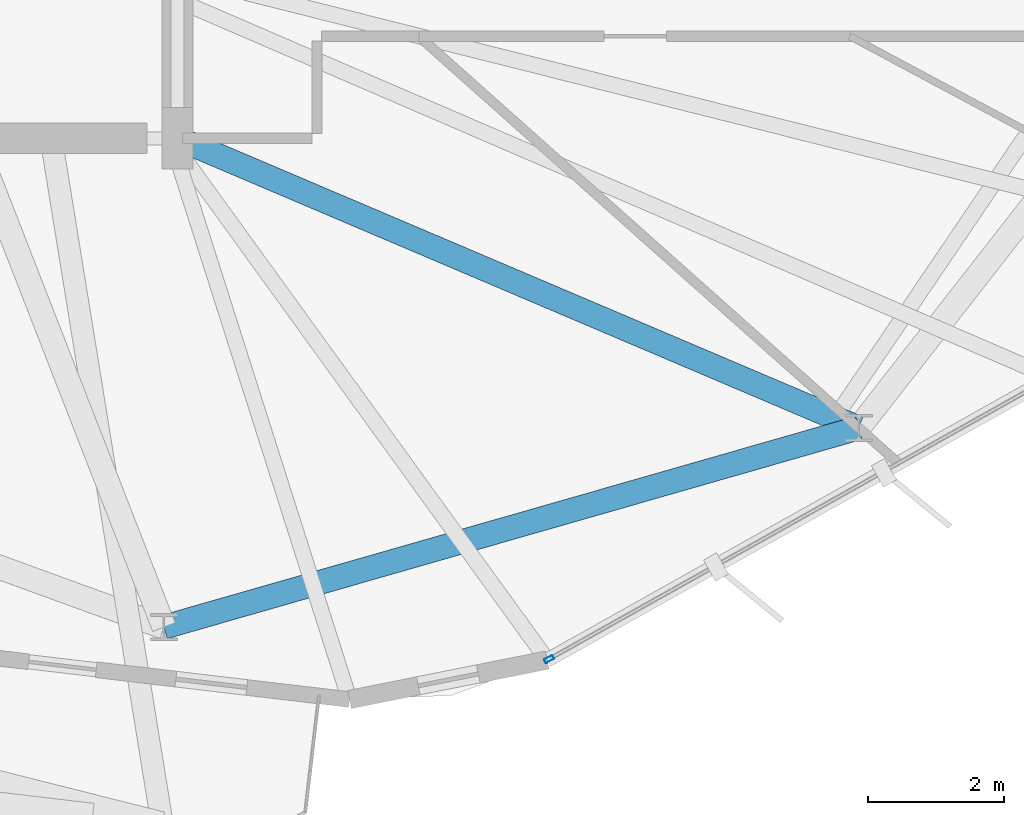
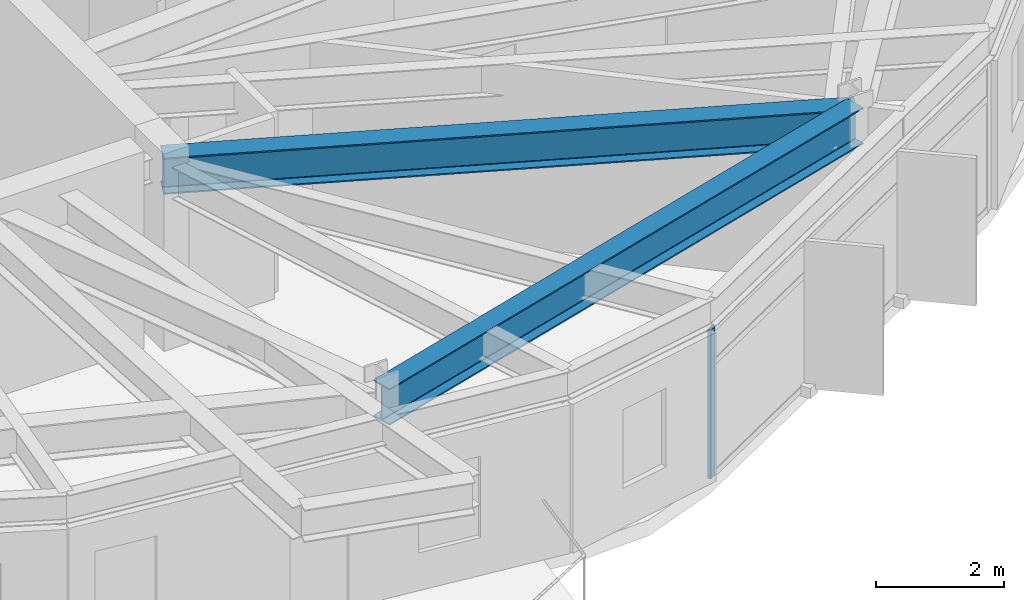
# One storey, part 5 of 25: 2 beams, 1 member, 1 element without a shape of its own.
"""IFC4 building model written with IfcOpenShell, lengths in metres."""

from ifc_helpers import new_model, si_unit, direction, frame, origin, origin_2d, place, context, subcontext, project, spatial, hollow_rectangle, i_section, extrude, material, layer, layer_set, material_profile, profile_set, type_object, element, aggregate, save


model = new_model("IFC4")

# Units and contexts
model_context = context("Model", 3, precision=1e-05, world=origin(), true_north=direction((0.0, 1.0)))
body_context = subcontext(model_context, "Body", "Model", "MODEL_VIEW")
ifc_project = project(units=[si_unit("LENGTHUNIT", "METRE"), si_unit("AREAUNIT", "SQUARE_METRE"), si_unit("VOLUMEUNIT", "CUBIC_METRE"), si_unit("PLANEANGLEUNIT", "RADIAN"), si_unit("MASSUNIT", "GRAM", prefix="KILO")], contexts=[model_context])

# Site, building, storey
site_placement = place(None, origin())
site = spatial("IfcSite", under=ifc_project, at=site_placement, CompositionType="ELEMENT")
building_placement = place(site_placement, origin())
building = spatial("IfcBuilding", under=site, at=building_placement, Name="Soratama Intermodal Tower", CompositionType="ELEMENT")
storey_placement = place(building_placement, frame((0.0, 0.0, 272.5)))
storey = spatial("IfcBuildingStorey", under=building, at=storey_placement, Name="L69", CompositionType="ELEMENT", Elevation=272.5)

# Beams
ifc_material_1 = material(Name="Structural steel ASTM A992 Grade 50", Category="steel")
ifc_material_profile_1 = material_profile(ifc_material_1, i_section(OverallWidth=0.35498046875, OverallDepth=0.695068359375, WebThickness=0.015380859375, FlangeThickness=0.02490234375, FilletRadius=0.01611328125, at=origin_2d()), Name="W27X146")
ifc_profile_set_1 = profile_set([ifc_material_profile_1], Name="Structural steel ASTM A992 Grade 50")
beam_type = type_object("IfcBeamType", Name="BM-RING-W27X146", PredefinedType="BEAM", material=ifc_profile_set_1)
beam_1_placement = place(storey_placement, frame((44.39990234375, 7.81103515625, 3.1025390625), z_axis=(0.961262636932, 0.27563407416, 0.0), x_axis=(-0.27563407416, 0.961262636932, 0.0)))
element("IfcBeam", 1, at=beam_1_placement, inside=storey, type_object=beam_type, Name="BM-L69-RING-08", PredefinedType="BEAM", context=body_context, shape_type="SweptSolid", body=[
    extrude(i_section(OverallWidth=0.35498046875, OverallDepth=0.695068359375, WebThickness=0.015380859375, FlangeThickness=0.02490234375, FilletRadius=0.01611328125, at=origin_2d()), origin(), (0.0, 0.0, 1.0), 10.6298828125),
])
beam_2_placement = place(storey_placement, frame((44.60009765625, 15.0, 3.1025390625), z_axis=(0.920282671955, -0.391254142087, 0.0), x_axis=(0.391254142087, 0.920282671955, 0.0)))
element("IfcBeam", 2, at=beam_2_placement, inside=storey, type_object=beam_type, Name="BM-L69-RAD-09", PredefinedType="BEAM", context=body_context, shape_type="SweptSolid", body=[
    extrude(i_section(OverallWidth=0.35498046875, OverallDepth=0.695068359375, WebThickness=0.015380859375, FlangeThickness=0.02490234375, FilletRadius=0.01611328125, at=origin_2d()), origin(), (0.0, 0.0, 1.0), 10.885498046875),
])

# Curtain wall, member
ifc_material_2 = material(Name="Double-glazed aluminium curtain wall", Category="aluminium")
ifc_layer = layer(ifc_material_2, 0.159912109375)
ifc_layer_set = layer_set([ifc_layer], Name="Double-glazed aluminium curtain wall")
curtain_wall_type = type_object("IfcCurtainWallType", Name="CW-SYS-5", PredefinedType="NOTDEFINED", material=ifc_layer_set)
curtain_wall_placement = place(storey_placement, origin())
curtain_wall = element("IfcCurtainWall", 3, at=curtain_wall_placement, inside=storey, type_object=curtain_wall_type, Name="L69 Faceted Curtain Wall F07", PredefinedType="NOTDEFINED")
ifc_material_3 = material(Name="Anodised aluminium AA 6063-T6", Category="aluminium")
ifc_material_profile_2 = material_profile(ifc_material_3, hollow_rectangle(XDim=0.06494140625, YDim=0.139892578125, WallThickness=0.0048828125, InnerFilletRadius=0.0048828125, OuterFilletRadius=0.010009765625, at=origin_2d()), Name="CWM140X65X5")
ifc_profile_set_2 = profile_set([ifc_material_profile_2], Name="Anodised aluminium AA 6063-T6")
member_type = type_object("IfcMemberType", Name="MT-CWM-5", PredefinedType="MULLION", material=ifc_profile_set_2)
member_placement = place(storey_placement, frame((50.06396484375, 7.340576171875, 0.0), z_axis=(0.0, 0.0, 1.0), x_axis=(-0.489079409958, 0.872239262333, 0.0)))
member = element("IfcMember", 4, at=member_placement, type_object=member_type, Name="CW-5 mullion 1", PredefinedType="MULLION", context=body_context, shape_type="SweptSolid", body=[
    extrude(hollow_rectangle(XDim=0.06494140625, YDim=0.139892578125, WallThickness=0.0048828125, InnerFilletRadius=0.0048828125, OuterFilletRadius=0.010009765625, at=origin_2d()), origin(), (0.0, 0.0, 1.0), 2.8291015625),
])
aggregate(curtain_wall, [member])

save(model, "model.ifc")
